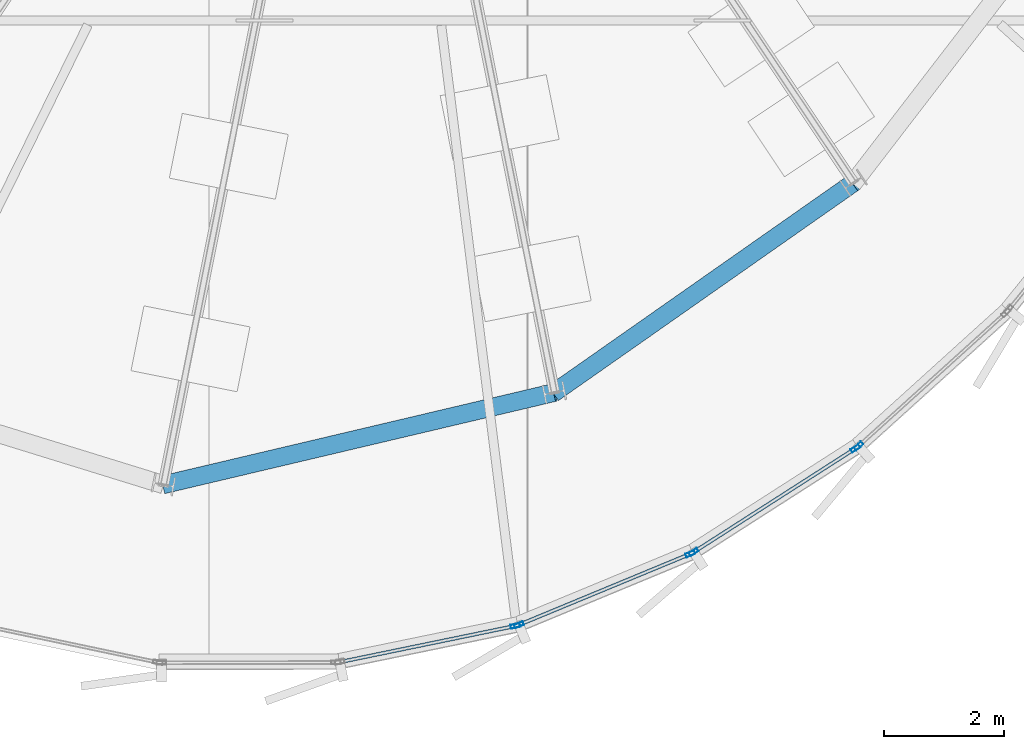
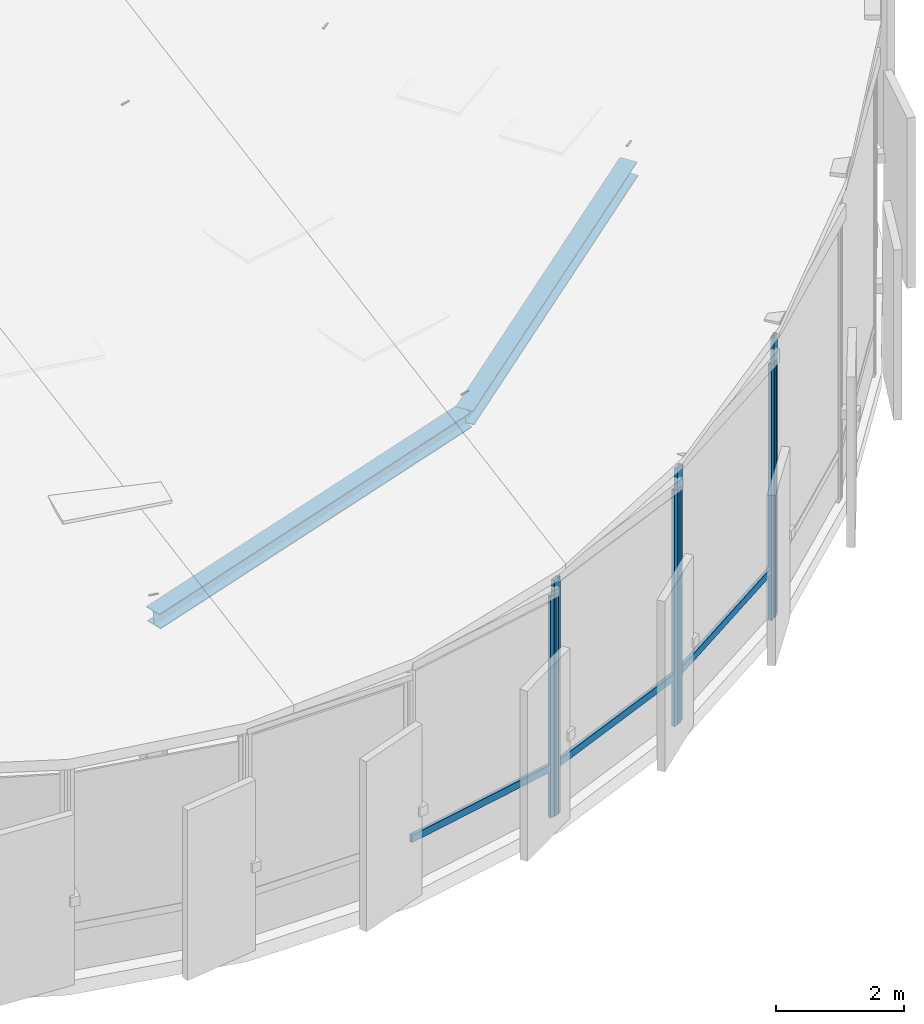
# One storey, part 6 of 36: 9 members, 2 beams, 4 elements without a shape of their own.
"""IFC4 building model written with IfcOpenShell, lengths in metres."""

from ifc_helpers import new_model, si_unit, direction, frame, origin, origin_2d, place, context, subcontext, project, spatial, hollow_rectangle, i_section, extrude, source, transform, mapped, material, layer, layer_set, material_profile, profile_set, type_object, element, aggregate, save


model = new_model("IFC4")

# Units and contexts
model_context = context("Model", 3, precision=1e-05, world=origin(), true_north=direction((0.0, 1.0)))
body_context = subcontext(model_context, "Body", "Model", "MODEL_VIEW")
ifc_project = project(units=[si_unit("LENGTHUNIT", "METRE"), si_unit("AREAUNIT", "SQUARE_METRE"), si_unit("VOLUMEUNIT", "CUBIC_METRE"), si_unit("PLANEANGLEUNIT", "RADIAN"), si_unit("MASSUNIT", "GRAM", prefix="KILO"), si_unit("THERMODYNAMICTEMPERATUREUNIT", "KELVIN")], contexts=[model_context])

# Site, building, storey
site_placement = place(None, origin())
site = spatial("IfcSite", under=ifc_project, at=site_placement, CompositionType="ELEMENT")
building_placement = place(site_placement, origin())
building = spatial("IfcBuilding", under=site, at=building_placement, Name="Kethvar Cultural Tower", CompositionType="ELEMENT")
storey_placement = place(building_placement, frame((0.0, 0.0, 324.300048828125)))
storey = spatial("IfcBuildingStorey", under=building, at=storey_placement, Name="L86", CompositionType="ELEMENT", Elevation=324.300048828125)

# Beams
ifc_material_1 = material(Name="Steel S355J2", Category="steel")
ifc_material_profile_1 = material_profile(ifc_material_1, i_section(OverallWidth=0.300048828125, OverallDepth=0.300048828125, WebThickness=0.010986328125, FlangeThickness=0.01904296875, FilletRadius=0.027099609375, at=origin_2d()), Name="Steel S355J2 — HEB300")
ifc_profile_set_1 = profile_set([ifc_material_profile_1], Name="Steel S355J2 — HEB300")
beam_type = type_object("IfcBeamType", Name="BM-SP300", PredefinedType="SPANDREL", material=ifc_profile_set_1)
shared_shape_1 = source(origin(), body_context, "Body", "SweptSolid", [
    extrude(i_section(OverallWidth=0.300048828125, OverallDepth=0.300048828125, WebThickness=0.010986328125, FlangeThickness=0.01904296875, FilletRadius=0.027099609375, at=origin_2d()), origin(), (0.0, 0.0, 1.0), 6.71826171875),
])
beam_1_placement = place(storey_placement, frame((43.392822265625, 10.67138671875, 4.4013671875), z_axis=(0.968827472157, 0.228542984711, 0.095610843182), x_axis=(-0.22959480683, 0.973286301494, 0.0)))
element("IfcBeam", 1, at=beam_1_placement, inside=storey, type_object=beam_type, Name="Crown Sloped Eave Ring Beam SP-12", PredefinedType="SPANDREL", context=body_context, shape_type="MappedRepresentation", body=[
    mapped(shared_shape_1, transform((0.0, 0.0, 0.0), scale=1.0)),
])
shared_shape_2 = source(origin(), body_context, "Body", "SweptSolid", [
    extrude(i_section(OverallWidth=0.300048828125, OverallDepth=0.300048828125, WebThickness=0.010986328125, FlangeThickness=0.01904296875, FilletRadius=0.027099609375, at=origin_2d()), origin(), (0.0, 0.0, 1.0), 6.152099609375),
])
beam_2_placement = place(storey_placement, frame((49.901611328125, 12.206787109375, 5.043701171875), z_axis=(0.810040532379, 0.567845873888, 0.146237476083), x_axis=(-0.57401683393, 0.818843498091, 0.0)))
element("IfcBeam", 2, at=beam_2_placement, inside=storey, type_object=beam_type, Name="Crown Sloped Eave Ring Beam SP-13", PredefinedType="SPANDREL", context=body_context, shape_type="MappedRepresentation", body=[
    mapped(shared_shape_2, transform((0.0, 0.0, 0.0), scale=1.0)),
])

# Curtain wall, member
ifc_material_2 = material(Name="Aluminium 6063-T6", Category="aluminium")
ifc_layer = layer(ifc_material_2, 0.179931640625, Name="Aluminium 6063-T6", Category="aluminium")
ifc_layer_set = layer_set([ifc_layer], Name="Aluminium 6063-T6 (180 mm)")
curtain_wall_type = type_object("IfcCurtainWallType", Name="CW-SYS-06-CROWN", PredefinedType="NOTDEFINED", material=ifc_layer_set)
curtain_wall_1_placement = place(storey_placement, origin())
curtain_wall_1 = element("IfcCurtainWall", 3, at=curtain_wall_1_placement, inside=storey, type_object=curtain_wall_type, Name="L86 Curtain Wall Run 24", PredefinedType="NOTDEFINED")
ifc_material_profile_2 = material_profile(ifc_material_2, hollow_rectangle(XDim=0.06494140625, YDim=0.159912109375, WallThickness=0.0048828125, at=origin_2d()), Name="Aluminium 6063-T6 — RHS160x65x5")
ifc_profile_set_2 = profile_set([ifc_material_profile_2], Name="Aluminium 6063-T6 — RHS160x65x5")
member_type_1 = type_object("IfcMemberType", Name="CW-SYS-06-CROWN-MUL", PredefinedType="MULLION", material=ifc_profile_set_2)
shared_shape_3 = source(origin(), body_context, "Body", "SweptSolid", [
    extrude(hollow_rectangle(XDim=0.06494140625, YDim=0.159912109375, WallThickness=0.0048828125, at=origin_2d()), origin(), (0.0, 0.0, 1.0), 5.358642578125),
])
member_1_placement = place(storey_placement, frame((54.968017578125, 11.31494140625, 0.0), z_axis=(0.0, 0.0, 1.0), x_axis=(-0.670983276722, 0.741472482537, 0.0)))
member_1 = element("IfcMember", 4, at=member_1_placement, type_object=member_type_1, Name="CW-L86-R24 Mullion 1", PredefinedType="MULLION", context=body_context, shape_type="MappedRepresentation", body=[
    mapped(shared_shape_3, transform((0.0, 0.0, 0.0), scale=1.0)),
])
aggregate(curtain_wall_1, [member_1])

# Curtain wall, members
curtain_wall_2_placement = place(storey_placement, origin())
curtain_wall_2 = element("IfcCurtainWall", 5, at=curtain_wall_2_placement, inside=storey, type_object=curtain_wall_type, Name="L86 Curtain Wall Run 23", PredefinedType="NOTDEFINED")
shared_shape_4 = source(origin(), body_context, "Body", "SweptSolid", [
    extrude(hollow_rectangle(XDim=0.06494140625, YDim=0.159912109375, WallThickness=0.0048828125, at=origin_2d()), origin(), (0.0, 0.0, 1.0), 4.888671875),
])
member_2_placement = place(storey_placement, frame((52.2216796875, 9.548583984375, 0.0), z_axis=(0.0, 0.0, 1.0), x_axis=(-0.539593927352, 0.841925408552, 0.0)))
member_2 = element("IfcMember", 6, at=member_2_placement, type_object=member_type_1, Name="CW-L86-R23 Mullion 1", PredefinedType="MULLION", context=body_context, shape_type="MappedRepresentation", body=[
    mapped(shared_shape_4, transform((0.0, 0.0, 0.0), scale=1.0)),
])
member_3_placement = place(storey_placement, frame((54.916748046875, 11.27587890625, 0.0), z_axis=(0.0, 0.0, 1.0), x_axis=(-0.539593927352, 0.841925408552, 0.0)))
member_3 = element("IfcMember", 7, at=member_3_placement, type_object=member_type_1, Name="CW-L86-R23 Mullion 2", PredefinedType="MULLION", context=body_context, shape_type="MappedRepresentation", body=[
    mapped(shared_shape_4, transform((0.0, 0.0, 0.0), scale=1.0)),
])
ifc_material_profile_3 = material_profile(ifc_material_2, hollow_rectangle(XDim=0.06005859375, YDim=0.139892578125, WallThickness=0.0048828125, at=origin_2d()), Name="Aluminium 6063-T6 — RHS140x60x5")
ifc_profile_set_3 = profile_set([ifc_material_profile_3], Name="Aluminium 6063-T6 — RHS140x60x5")
member_type_2 = type_object("IfcMemberType", Name="CW-SYS-06-CROWN-TRN", PredefinedType="USERDEFINED", material=ifc_profile_set_3)
shared_shape_5 = source(origin(), body_context, "Body", "SweptSolid", [
    extrude(hollow_rectangle(XDim=0.06005859375, YDim=0.139892578125, WallThickness=0.0048828125, at=origin_2d()), origin(), (0.0, 0.0, 1.0), 3.19189453125),
])
member_4_placement = place(storey_placement, frame((52.2255859375, 9.551025390625, 0.949951171875), z_axis=(0.841905869603, 0.539624412651, 0.0), x_axis=(-0.539624412651, 0.841905869603, 0.0)))
member_4 = element("IfcMember", 8, at=member_4_placement, type_object=member_type_2, Name="CW-L86-R23 Transom 1", ObjectType="TRANSOM", PredefinedType="USERDEFINED", context=body_context, shape_type="MappedRepresentation", body=[
    mapped(shared_shape_5, transform((0.0, 0.0, 0.0), scale=1.0)),
])
aggregate(curtain_wall_2, [member_2, member_3, member_4])

curtain_wall_3_placement = place(storey_placement, origin())
curtain_wall_3 = element("IfcCurtainWall", 9, at=curtain_wall_3_placement, inside=storey, type_object=curtain_wall_type, Name="L86 Curtain Wall Run 22", PredefinedType="NOTDEFINED")
shared_shape_6 = source(origin(), body_context, "Body", "SweptSolid", [
    extrude(hollow_rectangle(XDim=0.06494140625, YDim=0.159912109375, WallThickness=0.0048828125, at=origin_2d()), origin(), (0.0, 0.0, 1.0), 4.50732421875),
])
member_5_placement = place(storey_placement, frame((49.3125, 8.33740234375, 0.0), z_axis=(0.0, 0.0, 1.0), x_axis=(-0.38273180606, 0.923859493987, 0.0)))
member_5 = element("IfcMember", 10, at=member_5_placement, type_object=member_type_1, Name="CW-L86-R22 Mullion 1", PredefinedType="MULLION", context=body_context, shape_type="MappedRepresentation", body=[
    mapped(shared_shape_6, transform((0.0, 0.0, 0.0), scale=1.0)),
])
member_6_placement = place(storey_placement, frame((52.166015625, 9.51953125, 0.0), z_axis=(0.0, 0.0, 1.0), x_axis=(-0.38273180606, 0.923859493987, 0.0)))
member_6 = element("IfcMember", 11, at=member_6_placement, type_object=member_type_1, Name="CW-L86-R22 Mullion 2", PredefinedType="MULLION", context=body_context, shape_type="MappedRepresentation", body=[
    mapped(shared_shape_6, transform((0.0, 0.0, 0.0), scale=1.0)),
])
shared_shape_7 = source(origin(), body_context, "Body", "SweptSolid", [
    extrude(hollow_rectangle(XDim=0.06005859375, YDim=0.139892578125, WallThickness=0.0048828125, at=origin_2d()), origin(), (0.0, 0.0, 1.0), 3.07958984375),
])
member_7_placement = place(storey_placement, frame((49.316650390625, 8.339111328125, 0.949951171875), z_axis=(0.923858366247, 0.382734528251, 0.0), x_axis=(-0.382734528251, 0.923858366247, 0.0)))
member_7 = element("IfcMember", 12, at=member_7_placement, type_object=member_type_2, Name="CW-L86-R22 Transom 1", ObjectType="TRANSOM", PredefinedType="USERDEFINED", context=body_context, shape_type="MappedRepresentation", body=[
    mapped(shared_shape_7, transform((0.0, 0.0, 0.0), scale=1.0)),
])
aggregate(curtain_wall_3, [member_5, member_6, member_7])

curtain_wall_4_placement = place(storey_placement, origin())
curtain_wall_4 = element("IfcCurtainWall", 13, at=curtain_wall_4_placement, inside=storey, type_object=curtain_wall_type, Name="L86 Curtain Wall Run 21", PredefinedType="NOTDEFINED")
shared_shape_8 = source(origin(), body_context, "Body", "SweptSolid", [
    extrude(hollow_rectangle(XDim=0.06494140625, YDim=0.159912109375, WallThickness=0.0048828125, at=origin_2d()), origin(), (0.0, 0.0, 1.0), 4.226318359375),
])
member_8_placement = place(storey_placement, frame((49.253662109375, 8.3193359375, 0.0), z_axis=(0.0, 0.0, 1.0), x_axis=(-0.201624987785, 0.97946279373, 0.0)))
member_8 = element("IfcMember", 14, at=member_8_placement, type_object=member_type_1, Name="CW-L86-R21 Mullion 2", PredefinedType="MULLION", context=body_context, shape_type="MappedRepresentation", body=[
    mapped(shared_shape_8, transform((0.0, 0.0, 0.0), scale=1.0)),
])
shared_shape_9 = source(origin(), body_context, "Body", "SweptSolid", [
    extrude(hollow_rectangle(XDim=0.06005859375, YDim=0.139892578125, WallThickness=0.0048828125, at=origin_2d()), origin(), (0.0, 0.0, 1.0), 2.977783203125),
])
member_9_placement = place(storey_placement, frame((46.33251953125, 7.718017578125, 0.949951171875), z_axis=(0.979467995748, 0.201599715539, 0.0), x_axis=(-0.201599715539, 0.979467995748, 0.0)))
member_9 = element("IfcMember", 15, at=member_9_placement, type_object=member_type_2, Name="CW-L86-R21 Transom 1", ObjectType="TRANSOM", PredefinedType="USERDEFINED", context=body_context, shape_type="MappedRepresentation", body=[
    mapped(shared_shape_9, transform((0.0, 0.0, 0.0), scale=1.0)),
])
aggregate(curtain_wall_4, [member_8, member_9])

save(model, "model.ifc")
